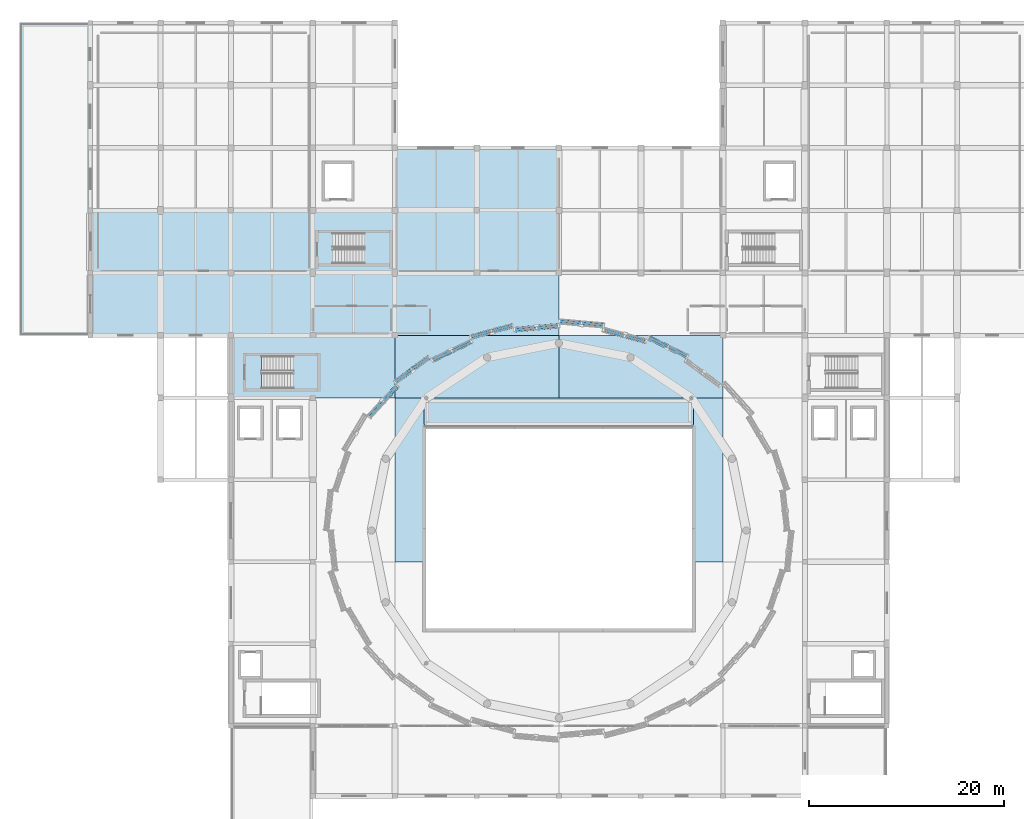
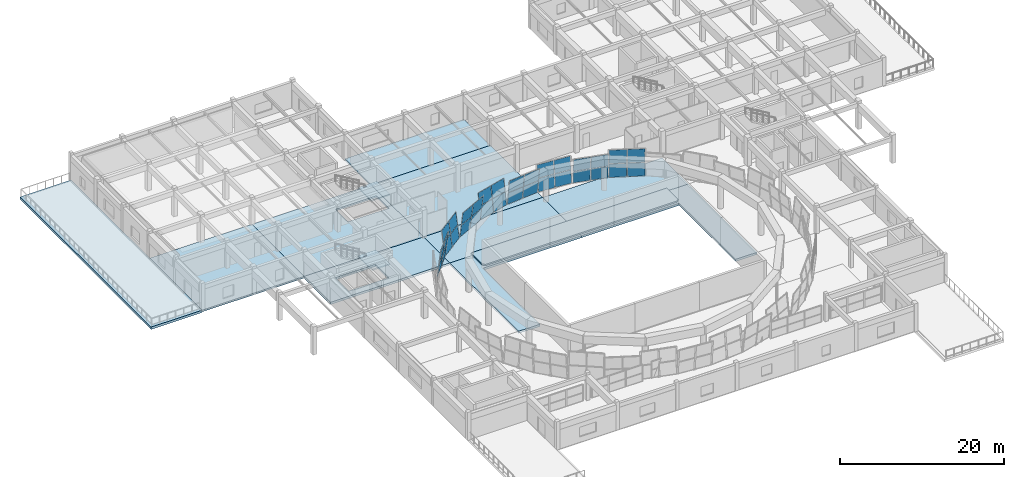
# One storey, part 25 of 40: 32 plates, 13 slabs, 10 elements without a shape of their own.
"""IFC4 building model written with IfcOpenShell, lengths in metres."""

from ifc_helpers import new_model, si_unit, direction, frame, origin, place, context, subcontext, project, spatial, polyline, outline, extrude, material, layer, layer_set, type_object, element, aggregate, save


model = new_model("IFC4")

# Units and contexts
model_context = context("Model", 3, precision=1e-05, world=origin(), true_north=direction((0.0, 1.0)))
body_context = subcontext(model_context, "Body", "Model", "MODEL_VIEW")
ifc_project = project(units=[si_unit("LENGTHUNIT", "METRE"), si_unit("AREAUNIT", "SQUARE_METRE"), si_unit("VOLUMEUNIT", "CUBIC_METRE"), si_unit("PLANEANGLEUNIT", "RADIAN"), si_unit("MASSUNIT", "GRAM", prefix="KILO")], contexts=[model_context])

# Site, building, storey
site_placement = place(None, origin())
site = spatial("IfcSite", under=ifc_project, at=site_placement, CompositionType="ELEMENT")
building_placement = place(site_placement, origin())
building = spatial("IfcBuilding", under=site, at=building_placement, Name="Korsvaeld Concert Hall", CompositionType="ELEMENT")
storey_placement = place(building_placement, frame((0.0, 0.0, 13.199951171875)))
storey = spatial("IfcBuildingStorey", under=building, at=storey_placement, Name="L03", CompositionType="ELEMENT", Elevation=13.199951171875)

# Curtain wall, plates
ifc_material_1 = material(Name="Anodised bronze and ceramic-fritted safety glass", Category="glass")
curtain_wall_type_1 = type_object("IfcCurtainWallType", Name="CW-TYPE-06", PredefinedType="USERDEFINED", material=ifc_material_1)
curtain_wall_1_placement = place(storey_placement, origin())
curtain_wall_1 = element("IfcCurtainWall", 1, at=curtain_wall_1_placement, inside=storey, type_object=curtain_wall_type_1, Name="Crystal curtain-wall facet L03 F06", ObjectType="CURTAIN WALL", PredefinedType="USERDEFINED")
ifc_material_2 = material(Name="Translucent ceramic-fritted crystal safety glass", Category="glass")
ifc_layer_1 = layer(ifc_material_2, 0.035888671875)
ifc_layer_set_1 = layer_set([ifc_layer_1], Name="Translucent ceramic-fritted crystal safety glass")
plate_type = type_object("IfcPlateType", Name="CWP-CRYSTAL-36", PredefinedType="CURTAIN_PANEL", material=ifc_layer_set_1)
plate_1_placement = place(storey_placement, frame((97.04736328125, 80.865478515625, 0.06005859375), z_axis=(0.430090776937, 0.89571226322, -0.112789472515), x_axis=(-0.901464591462, 0.432852850679, 0.0)))
plate_1 = element("IfcPlate", 2, at=plate_1_placement, type_object=plate_type, Name="CW-CRYS-L03-F06 ceramic-fritted crystal panel 1.1", PredefinedType="CURTAIN_PANEL", context=body_context, shape_type="SweptSolid", body=[
    extrude(outline(polyline([(0.0, 0.0), (2.150634336043882, 0.0), (2.1317694595248153, 1.8619791157700134), (-0.01886487651906714, 1.8619791157700134), (0.0, 0.0)])), frame((0.0, 0.0, 0.01806640625)), (0.0, 0.0, -1.0), 0.035888671875),
])
plate_2_placement = place(storey_placement, frame((97.15869140625, 81.052490234375, 1.969970703125), z_axis=(0.430114148991, 0.895704537127, -0.112761700096), x_axis=(-0.901454091207, 0.432874717948, -2.75289e-06)))
plate_2 = element("IfcPlate", 3, at=plate_2_placement, type_object=plate_type, Name="CW-CRYS-L03-F06 ceramic-fritted crystal panel 1.2", PredefinedType="CURTAIN_PANEL", context=body_context, shape_type="SweptSolid", body=[
    extrude(outline(polyline([(0.0, 0.0), (2.150634335402981, 1.3877787807814457e-17), (2.1317694601600947, 1.8619791150426859), (-0.018644793677650772, 1.8619671987283917), (0.0, 0.0)])), frame((0.0, 0.0, 0.01806640625)), (0.0, 0.0, -1.0), 0.035888671875),
])
plate_3_placement = place(storey_placement, frame((95.041015625, 81.828857421875, 0.06005859375), z_axis=(0.429999158214, 0.895756378641, -0.112788448256), x_axis=(-0.901508884705, 0.432760592935, 0.0)))
plate_3 = element("IfcPlate", 4, at=plate_3_placement, type_object=plate_type, Name="CW-CRYS-L03-F06 ceramic-fritted crystal panel 2.1", PredefinedType="CURTAIN_PANEL", context=body_context, shape_type="SweptSolid", body=[
    extrude(outline(polyline([(0.0, 0.0), (2.1505286703400395, 0.0), (2.131642301423537, 1.8619788978930212), (-0.018886368916502288, 1.8619788978930212), (0.0, 0.0)])), frame((0.0, 0.0, 0.01806640625)), (0.0, 0.0, -1.0), 0.035888671875),
])
plate_4_placement = place(storey_placement, frame((95.15234375, 82.015869140625, 1.969970703125), z_axis=(0.429999158214, 0.895756378641, -0.112788448256), x_axis=(-0.901508884705, 0.432760592935, 0.0)))
plate_4 = element("IfcPlate", 5, at=plate_4_placement, type_object=plate_type, Name="CW-CRYS-L03-F06 ceramic-fritted crystal panel 2.2", PredefinedType="CURTAIN_PANEL", context=body_context, shape_type="SweptSolid", body=[
    extrude(outline(polyline([(0.0, 0.0), (2.1505286703400395, 0.0), (2.131642301423537, 1.8619788978930212), (-0.018886368916502288, 1.8619788978930212), (0.0, 0.0)])), frame((0.0, 0.0, 0.01806640625)), (0.0, 0.0, -1.0), 0.035888671875),
])
aggregate(curtain_wall_1, [plate_1, plate_2, plate_3, plate_4])

curtain_wall_type_2 = type_object("IfcCurtainWallType", Name="CW-TYPE-07", PredefinedType="USERDEFINED", material=ifc_material_1)
curtain_wall_2_placement = place(storey_placement, origin())
curtain_wall_2 = element("IfcCurtainWall", 6, at=curtain_wall_2_placement, inside=storey, type_object=curtain_wall_type_2, Name="Crystal curtain-wall facet L03 F07", ObjectType="CURTAIN WALL", PredefinedType="USERDEFINED")
plate_5_placement = place(storey_placement, frame((92.956787109375, 82.799560546875, 0.06005859375), z_axis=(0.261163697715, 0.958656442547, 0.113010389604), x_axis=(-0.964837328344, 0.262847731265, -1.651374e-06)))
plate_5 = element("IfcPlate", 7, at=plate_5_placement, type_object=plate_type, Name="CW-CRYS-L03-F07 ceramic-fritted crystal panel 1.1", PredefinedType="CURTAIN_PANEL", context=body_context, shape_type="SweptSolid", body=[
    extrude(outline(polyline([(0.0, 0.0), (2.1817033119443416, 1.3877787807814457e-17), (2.1944567254359537, 1.8620298037919154), (0.01251785750324663, 1.8620225513242352), (0.0, 0.0)])), frame((0.0, 0.0, 0.01806640625)), (0.0, 0.0, -1.0), 0.035888671875),
])
plate_6_placement = place(storey_placement, frame((92.88720703125, 82.59326171875, 1.969970703125), z_axis=(0.261267170979, 0.958628162452, 0.113011112386), x_axis=(-0.964809044512, 0.262951530942, 1.651812e-06)))
plate_6 = element("IfcPlate", 8, at=plate_6_placement, type_object=plate_type, Name="CW-CRYS-L03-F07 ceramic-fritted crystal panel 1.2", PredefinedType="CURTAIN_PANEL", context=body_context, shape_type="SweptSolid", body=[
    extrude(outline(polyline([(0.0, 0.0), (2.182003048960531, 1.3877787807814457e-17), (2.1945043823121617, 1.8620226623379514), (0.012736882434763102, 1.86202991694282), (0.0, 0.0)])), frame((0.0, 0.0, 0.01806640625)), (0.0, 0.0, -1.0), 0.035888671875),
])
plate_7_placement = place(storey_placement, frame((90.779296875, 83.392822265625, 0.06005859375), z_axis=(0.261178302111, 0.958654457556, 0.112993475543), x_axis=(-0.964833511963, 0.262861739689, 0.0)))
plate_7 = element("IfcPlate", 9, at=plate_7_placement, type_object=plate_type, Name="CW-CRYS-L03-F07 ceramic-fritted crystal panel 2.1", PredefinedType="CURTAIN_PANEL", context=body_context, shape_type="SweptSolid", body=[
    extrude(outline(polyline([(0.0, 0.0), (2.181703312177269, 1.3877787807814457e-17), (2.1942211701450334, 1.8620225515940299), (0.012517857967764409, 1.8620225515940299), (0.0, 0.0)])), frame((0.0, 0.0, 0.01806640625)), (0.0, 0.0, -1.0), 0.035888671875),
])
plate_8_placement = place(storey_placement, frame((90.709716796875, 83.1865234375, 1.969970703125), z_axis=(0.261267170979, 0.958628162452, 0.113011112386), x_axis=(-0.964808945702, 0.262951893492, -1.651991e-06)))
plate_8 = element("IfcPlate", 10, at=plate_8_placement, type_object=plate_type, Name="CW-CRYS-L03-F07 ceramic-fritted crystal panel 2.2", PredefinedType="CURTAIN_PANEL", context=body_context, shape_type="SweptSolid", body=[
    extrude(outline(polyline([(0.0, 0.0), (2.18176749988946, 1.3877787807814457e-17), (2.1944981908801506, 1.8620299592839915), (0.012495141931681508, 1.8620227038958976), (0.0, 0.0)])), frame((0.0, 0.0, 0.01806640625)), (0.0, 0.0, -1.0), 0.035888671875),
])
aggregate(curtain_wall_2, [plate_5, plate_6, plate_7, plate_8])

curtain_wall_type_3 = type_object("IfcCurtainWallType", Name="CW-TYPE-08", PredefinedType="USERDEFINED", material=ifc_material_1)
curtain_wall_3_placement = place(storey_placement, origin())
curtain_wall_3 = element("IfcCurtainWall", 11, at=curtain_wall_3_placement, inside=storey, type_object=curtain_wall_type_3, Name="Crystal curtain-wall facet L03 F08", ObjectType="CURTAIN WALL", PredefinedType="USERDEFINED")
plate_9_placement = place(storey_placement, frame((88.530029296875, 84.006103515625, 0.06005859375), z_axis=(0.087546049245, 0.989706155961, -0.113214019074), x_axis=(-0.996110581478, 0.08811191427, -5.671146e-06)))
plate_9 = element("IfcPlate", 12, at=plate_9_placement, type_object=plate_type, Name="CW-CRYS-L03-F08 ceramic-fritted crystal panel 1.1", PredefinedType="CURTAIN_PANEL", context=body_context, shape_type="SweptSolid", body=[
    extrude(outline(polyline([(0.0, 0.0), (2.19848258395254, 0.0), (2.194090680571713, 1.8620821244647707), (-0.0046566061385782, 1.862057025761723), (0.0, 0.0)])), frame((0.0, 0.0, 0.01806640625)), (0.0, 0.0, -1.0), 0.035888671875),
])
plate_10_placement = place(storey_placement, frame((88.553955078125, 84.222412109375, 1.969970703125), z_axis=(0.087541265095, 0.98970723272, -0.113208305385), x_axis=(-0.996111018006, 0.088106979112, -6.220482e-06)))
plate_10 = element("IfcPlate", 13, at=plate_10_placement, type_object=plate_type, Name="CW-CRYS-L03-F08 ceramic-fritted crystal panel 1.2", PredefinedType="CURTAIN_PANEL", context=body_context, shape_type="SweptSolid", body=[
    extrude(outline(polyline([(0.0, 0.0), (2.1987257756269907, 3.469446951953614e-18), (2.194331810918517, 1.8620821189390757), (-0.00441547520142144, 1.8620545875462846), (0.0, 0.0)])), frame((0.0, 0.0, 0.01806640625)), (0.0, 0.0, -1.0), 0.035888671875),
])
plate_11_placement = place(storey_placement, frame((86.265380859375, 84.206298828125, 0.06005859375), z_axis=(0.08755094843, 0.989706373559, -0.113208328167), x_axis=(-0.99611003098, 0.088118137423, 6.221105e-06)))
plate_11 = element("IfcPlate", 14, at=plate_11_placement, type_object=plate_type, Name="CW-CRYS-L03-F08 ceramic-fritted crystal panel 2.1", PredefinedType="CURTAIN_PANEL", context=body_context, shape_type="SweptSolid", body=[
    extrude(outline(polyline([(0.0, 0.0), (2.1985040964360016, 6.938893903907228e-18), (2.1941139993973517, 1.8620546475523847), (-0.004368583821505519, 1.8620821786575152), (0.0, 0.0)])), frame((0.0, 0.0, 0.01806640625)), (0.0, 0.0, -1.0), 0.035888671875),
])
plate_12_placement = place(storey_placement, frame((86.2890625, 84.422607421875, 1.969970703125), z_axis=(0.08755094843, 0.989706373559, -0.113208328167), x_axis=(-0.99611003098, 0.088118137423, 6.221105e-06)))
plate_12 = element("IfcPlate", 15, at=plate_12_placement, type_object=plate_type, Name="CW-CRYS-L03-F08 ceramic-fritted crystal panel 2.2", PredefinedType="CURTAIN_PANEL", context=body_context, shape_type="SweptSolid", body=[
    extrude(outline(polyline([(0.0, 0.0), (2.1985040964360016, 6.938893903907228e-18), (2.1941139993973517, 1.8620546475523847), (-0.004368583821505519, 1.8620821786575152), (0.0, 0.0)])), frame((0.0, 0.0, 0.01806640625)), (0.0, 0.0, -1.0), 0.035888671875),
])
aggregate(curtain_wall_3, [plate_9, plate_10, plate_11, plate_12])

curtain_wall_type_4 = type_object("IfcCurtainWallType", Name="CW-TYPE-01", PredefinedType="USERDEFINED", material=ifc_material_1)
curtain_wall_4_placement = place(storey_placement, origin())
curtain_wall_4 = element("IfcCurtainWall", 16, at=curtain_wall_4_placement, inside=storey, type_object=curtain_wall_type_4, Name="Crystal curtain-wall facet L03 F09", ObjectType="CURTAIN WALL", PredefinedType="USERDEFINED")
plate_13_placement = place(storey_placement, frame((83.926025390625, 84.386474609375, 0.06005859375), z_axis=(-0.087496856753, 0.989718543604, 0.113143733828), x_axis=(-0.996114965607, -0.088062337539, 0.0)))
plate_13 = element("IfcPlate", 17, at=plate_13_placement, type_object=plate_type, Name="CW-CRYS-L03-F09 ceramic-fritted crystal panel 1.1", PredefinedType="CURTAIN_PANEL", context=body_context, shape_type="SweptSolid", body=[
    extrude(outline(polyline([(0.0, 0.0), (2.198482586710795, -3.469446951953614e-18), (2.194069178224843, 1.8620545963652475), (-0.004413408485951821, 1.8620545963652475), (0.0, 0.0)])), frame((0.0, 0.0, 0.01806640625)), (0.0, 0.0, -1.0), 0.035888671875),
])
plate_14_placement = place(storey_placement, frame((83.94970703125, 84.170166015625, 1.969970703125), z_axis=(-0.08755094843, 0.989706373559, 0.113208328167), x_axis=(-0.996110155902, -0.088116725255, -6.221166e-06)))
plate_14 = element("IfcPlate", 18, at=plate_14_placement, type_object=plate_type, Name="CW-CRYS-L03-F09 ceramic-fritted crystal panel 1.2", PredefinedType="CURTAIN_PANEL", context=body_context, shape_type="SweptSolid", body=[
    extrude(outline(polyline([(0.0, 0.0), (2.19848258339124, 0.0), (2.194090681131892, 1.8620821238047118), (-0.004413415131725044, 1.8620545924301783), (0.0, 0.0)])), frame((0.0, 0.0, 0.01806640625)), (0.0, 0.0, -1.0), 0.035888671875),
])
plate_15_placement = place(storey_placement, frame((81.661376953125, 84.186279296875, 0.06005859375), z_axis=(-0.08755094843, 0.989706373559, 0.113208328167), x_axis=(-0.99611003098, -0.088118137423, 6.221105e-06)))
plate_15 = element("IfcPlate", 19, at=plate_15_placement, type_object=plate_type, Name="CW-CRYS-L03-F09 ceramic-fritted crystal panel 2.1", PredefinedType="CURTAIN_PANEL", context=body_context, shape_type="SweptSolid", body=[
    extrude(outline(polyline([(0.0, 0.0), (2.1985040964360016, 6.938893903907228e-18), (2.1941139993973517, 1.8620546475523847), (-0.004368583821505519, 1.8620821786575152), (0.0, 0.0)])), frame((0.0, 0.0, 0.01806640625)), (0.0, 0.0, -1.0), 0.035888671875),
])
plate_16_placement = place(storey_placement, frame((81.68505859375, 83.969970703125, 1.969970703125), z_axis=(-0.08755094843, 0.989706373559, 0.113208328167), x_axis=(-0.99611003098, -0.088118137423, 6.221105e-06)))
plate_16 = element("IfcPlate", 20, at=plate_16_placement, type_object=plate_type, Name="CW-CRYS-L03-F09 ceramic-fritted crystal panel 2.2", PredefinedType="CURTAIN_PANEL", context=body_context, shape_type="SweptSolid", body=[
    extrude(outline(polyline([(0.0, 0.0), (2.1985040964360016, 6.938893903907228e-18), (2.1941139993973517, 1.8620546475523847), (-0.004368583821505519, 1.8620821786575152), (0.0, 0.0)])), frame((0.0, 0.0, 0.01806640625)), (0.0, 0.0, -1.0), 0.035888671875),
])
aggregate(curtain_wall_4, [plate_13, plate_14, plate_15, plate_16])

curtain_wall_type_5 = type_object("IfcCurtainWallType", Name="CW-TYPE-02", PredefinedType="USERDEFINED", material=ifc_material_1)
curtain_wall_5_placement = place(storey_placement, origin())
curtain_wall_5 = element("IfcCurtainWall", 21, at=curtain_wall_5_placement, inside=storey, type_object=curtain_wall_type_5, Name="Crystal curtain-wall facet L03 F10", ObjectType="CURTAIN WALL", PredefinedType="USERDEFINED")
plate_17_placement = place(storey_placement, frame((79.3212890625, 83.979248046875, 0.06005859375), z_axis=(-0.261178302111, 0.958654457556, -0.112993475543), x_axis=(-0.964833511963, -0.262861739689, 0.0)))
plate_17 = element("IfcPlate", 22, at=plate_17_placement, type_object=plate_type, Name="CW-CRYS-L03-F10 ceramic-fritted crystal panel 1.1", PredefinedType="CURTAIN_PANEL", context=body_context, shape_type="SweptSolid", body=[
    extrude(outline(polyline([(0.0, 0.0), (2.181703312177269, 1.3877787807814457e-17), (2.1942211701450334, 1.8620225515940299), (0.012517857967764409, 1.8620225515940299), (0.0, 0.0)])), frame((0.0, 0.0, 0.01806640625)), (0.0, 0.0, -1.0), 0.035888671875),
])
plate_18_placement = place(storey_placement, frame((79.251708984375, 84.185546875, 1.969970703125), z_axis=(-0.26128178054, 0.958626175241, -0.112994191446), x_axis=(-0.964805126409, -0.262965906641, 0.0)))
plate_18 = element("IfcPlate", 23, at=plate_18_placement, type_object=plate_type, Name="CW-CRYS-L03-F10 ceramic-fritted crystal panel 1.2", PredefinedType="CURTAIN_PANEL", context=body_context, shape_type="SweptSolid", body=[
    extrude(outline(polyline([(0.0, 0.0), (2.1817675001225645, -1.3877787807814457e-17), (2.1942626425191207, 1.862022704165911), (0.01249514239655624, 1.862022704165911), (0.0, 0.0)])), frame((0.0, 0.0, 0.01806640625)), (0.0, 0.0, -1.0), 0.035888671875),
])
plate_19_placement = place(storey_placement, frame((77.14404296875, 83.385986328125, 0.06005859375), z_axis=(-0.261163697715, 0.958656442547, -0.113010389604), x_axis=(-0.964837427078, -0.262847368842, 1.651196e-06)))
plate_19 = element("IfcPlate", 24, at=plate_19_placement, type_object=plate_type, Name="CW-CRYS-L03-F10 ceramic-fritted crystal panel 2.1", PredefinedType="CURTAIN_PANEL", context=body_context, shape_type="SweptSolid", body=[
    extrude(outline(polyline([(0.0, 0.0), (2.1819388679447598, 0.0), (2.194462914557344, 1.8620225097062955), (0.012759602625054647, 1.8620297613910195), (0.0, 0.0)])), frame((0.0, 0.0, 0.01806640625)), (0.0, 0.0, -1.0), 0.035888671875),
])
plate_20_placement = place(storey_placement, frame((77.07421875, 83.59228515625, 1.969970703125), z_axis=(-0.26128178054, 0.958626175241, -0.112994191446), x_axis=(-0.964805126409, -0.262965906641, 0.0)))
plate_20 = element("IfcPlate", 25, at=plate_20_placement, type_object=plate_type, Name="CW-CRYS-L03-F10 ceramic-fritted crystal panel 2.2", PredefinedType="CURTAIN_PANEL", context=body_context, shape_type="SweptSolid", body=[
    extrude(outline(polyline([(0.0, 0.0), (2.1817675001225645, -1.3877787807814457e-17), (2.1942626425191207, 1.862022704165911), (0.01249514239655624, 1.862022704165911), (0.0, 0.0)])), frame((0.0, 0.0, 0.01806640625)), (0.0, 0.0, -1.0), 0.035888671875),
])
aggregate(curtain_wall_5, [plate_17, plate_18, plate_19, plate_20])

curtain_wall_type_6 = type_object("IfcCurtainWallType", Name="CW-TYPE-03", PredefinedType="USERDEFINED", material=ifc_material_1)
curtain_wall_6_placement = place(storey_placement, origin())
curtain_wall_6 = element("IfcCurtainWall", 26, at=curtain_wall_6_placement, inside=storey, type_object=curtain_wall_type_6, Name="Crystal curtain-wall facet L03 F11", ObjectType="CURTAIN WALL", PredefinedType="USERDEFINED")
plate_21_placement = place(storey_placement, frame((74.904541015625, 82.747802734375, 0.06005859375), z_axis=(-0.429999158214, 0.895756378641, 0.112788448256), x_axis=(-0.901508884705, -0.432760592935, 0.0)))
plate_21 = element("IfcPlate", 27, at=plate_21_placement, type_object=plate_type, Name="CW-CRYS-L03-F11 ceramic-fritted crystal panel 1.1", PredefinedType="CURTAIN_PANEL", context=body_context, shape_type="SweptSolid", body=[
    extrude(outline(polyline([(0.0, 0.0), (2.1505286703400395, 0.0), (2.131642301423537, 1.8619788978930212), (-0.018886368916502288, 1.8619788978930212), (0.0, 0.0)])), frame((0.0, 0.0, 0.01806640625)), (0.0, 0.0, -1.0), 0.035888671875),
])
plate_22_placement = place(storey_placement, frame((75.015869140625, 82.560791015625, 1.969970703125), z_axis=(-0.430022527134, 0.89574865601, 0.112760682039), x_axis=(-0.901498388408, -0.432782457697, -2.752414e-06)))
plate_22 = element("IfcPlate", 28, at=plate_22_placement, type_object=plate_type, Name="CW-CRYS-L03-F11 ceramic-fritted crystal panel 1.2", PredefinedType="CURTAIN_PANEL", context=body_context, shape_type="SweptSolid", body=[
    extrude(outline(polyline([(0.0, 0.0), (2.15052866969938, 0.0), (2.1316423020585704, 1.8619788971660192), (-0.0186662752608272, 1.8619669834991164), (0.0, 0.0)])), frame((0.0, 0.0, 0.01806640625)), (0.0, 0.0, -1.0), 0.035888671875),
])
plate_23_placement = place(storey_placement, frame((72.898193359375, 81.78466796875, 0.06005859375), z_axis=(-0.430114148991, 0.895704537127, 0.112761700096), x_axis=(-0.901453820722, -0.432875281229, 2.753172e-06)))
plate_23 = element("IfcPlate", 29, at=plate_23_placement, type_object=plate_type, Name="CW-CRYS-L03-F11 ceramic-fritted crystal panel 2.1", PredefinedType="CURTAIN_PANEL", context=body_context, shape_type="SweptSolid", body=[
    extrude(outline(polyline([(0.0, 0.0), (2.150414253870762, -1.3877787807814457e-17), (2.1317797781060066, 1.8619673020181395), (-0.018854557263954734, 1.8619792195519942), (0.0, 0.0)])), frame((0.0, 0.0, 0.01806640625)), (0.0, 0.0, -1.0), 0.035888671875),
])
plate_24_placement = place(storey_placement, frame((73.009521484375, 81.59765625, 1.969970703125), z_axis=(-0.430090776937, 0.89571226322, 0.112789472515), x_axis=(-0.901464591462, -0.432852850679, 0.0)))
plate_24 = element("IfcPlate", 30, at=plate_24_placement, type_object=plate_type, Name="CW-CRYS-L03-F11 ceramic-fritted crystal panel 2.2", PredefinedType="CURTAIN_PANEL", context=body_context, shape_type="SweptSolid", body=[
    extrude(outline(polyline([(0.0, 0.0), (2.150634336043882, 0.0), (2.1317694595248153, 1.8619791157700134), (-0.01886487651906714, 1.8619791157700134), (0.0, 0.0)])), frame((0.0, 0.0, 0.01806640625)), (0.0, 0.0, -1.0), 0.035888671875),
])
aggregate(curtain_wall_6, [plate_21, plate_22, plate_23, plate_24])

curtain_wall_type_7 = type_object("IfcCurtainWallType", Name="CW-TYPE-04", PredefinedType="USERDEFINED", material=ifc_material_1)
curtain_wall_7_placement = place(storey_placement, origin())
curtain_wall_7 = element("IfcCurtainWall", 31, at=curtain_wall_7_placement, inside=storey, type_object=curtain_wall_type_7, Name="Crystal curtain-wall facet L03 F12", ObjectType="CURTAIN WALL", PredefinedType="USERDEFINED")
plate_25_placement = place(storey_placement, frame((70.823486328125, 80.787841796875, 0.06005859375), z_axis=(-0.589669995592, 0.799761139052, -0.112567387646), x_axis=(-0.804876511344, -0.593442332043, -5.210569e-06)))
plate_25 = element("IfcPlate", 32, at=plate_25_placement, type_object=plate_type, Name="CW-CRYS-L03-F12 ceramic-fritted crystal panel 1.1", PredefinedType="CURTAIN_PANEL", context=body_context, shape_type="SweptSolid", body=[
    extrude(outline(polyline([(0.0, 0.0), (2.109102836854165, -1.3877787807814457e-17), (2.1310223769087853, 1.8619430975782645), (0.022064423436466363, 1.861920978492878), (0.0, 0.0)])), frame((0.0, 0.0, 0.01806640625)), (0.0, 0.0, -1.0), 0.035888671875),
])
plate_26_placement = place(storey_placement, frame((70.6767578125, 80.948486328125, 1.969970703125), z_axis=(-0.589606250178, 0.799810195203, -0.112552749416), x_axis=(-0.80492463014, -0.593377063746, -3.841142e-06)))
plate_26 = element("IfcPlate", 33, at=plate_26_placement, type_object=plate_type, Name="CW-CRYS-L03-F12 ceramic-fritted crystal panel 1.2", PredefinedType="CURTAIN_PANEL", context=body_context, shape_type="SweptSolid", body=[
    extrude(outline(polyline([(0.0, 0.0), (2.108957954619836, 1.3877787807814457e-17), (2.131238413993404, 1.8619370542060762), (0.022083944571287713, 1.8619207482265476), (0.0, 0.0)])), frame((0.0, 0.0, 0.01806640625)), (0.0, 0.0, -1.0), 0.035888671875),
])
plate_27_placement = place(storey_placement, frame((69.065673828125, 79.49169921875, 0.06005859375), z_axis=(-0.589664828806, 0.799754131413, -0.112644214037), x_axis=(-0.804877212454, -0.593441381136, 5.214438e-06)))
plate_27 = element("IfcPlate", 34, at=plate_27_placement, type_object=plate_type, Name="CW-CRYS-L03-F12 ceramic-fritted crystal panel 2.1", PredefinedType="CURTAIN_PANEL", context=body_context, shape_type="SweptSolid", body=[
    extrude(outline(polyline([(0.0, 0.0), (2.1089579535883525, 0.0), (2.131238415035784, 1.8619370530129313), (0.02213557829773993, 1.861959188715022), (0.0, 0.0)])), frame((0.0, 0.0, 0.01806640625)), (0.0, 0.0, -1.0), 0.035888671875),
])
plate_28_placement = place(storey_placement, frame((68.9189453125, 79.65234375, 1.969970703125), z_axis=(-0.589599242948, 0.799800689785, -0.112656954223), x_axis=(-0.804925146945, -0.593376362691, 3.844294e-06)))
plate_28 = element("IfcPlate", 35, at=plate_28_placement, type_object=plate_type, Name="CW-CRYS-L03-F12 ceramic-fritted crystal panel 2.2", PredefinedType="CURTAIN_PANEL", context=body_context, shape_type="SweptSolid", body=[
    extrude(outline(polyline([(0.0, 0.0), (2.1091544694851763, -1.3877787807814457e-17), (2.1311079480460267, 1.8619426988996264), (0.022149993489303757, 1.8619590184550607), (0.0, 0.0)])), frame((0.0, 0.0, 0.01806640625)), (0.0, 0.0, -1.0), 0.035888671875),
])
aggregate(curtain_wall_7, [plate_25, plate_26, plate_27, plate_28])

curtain_wall_type_8 = type_object("IfcCurtainWallType", Name="CW-TYPE-05", PredefinedType="USERDEFINED", material=ifc_material_1)
curtain_wall_8_placement = place(storey_placement, origin())
curtain_wall_8 = element("IfcCurtainWall", 36, at=curtain_wall_8_placement, inside=storey, type_object=curtain_wall_type_8, Name="Crystal curtain-wall facet L03 F13", ObjectType="CURTAIN WALL", PredefinedType="USERDEFINED")
plate_29_placement = place(storey_placement, frame((67.267333984375, 78.13134765625, 0.06005859375), z_axis=(-0.733583849474, 0.670213115462, 0.112557166157), x_axis=(-0.674499425239, -0.738275372305, -4.21953e-07)))
plate_29 = element("IfcPlate", 37, at=plate_29_placement, type_object=plate_type, Name="CW-CRYS-L03-F13 ceramic-fritted crystal panel 1.1", PredefinedType="CURTAIN_PANEL", context=body_context, shape_type="SweptSolid", body=[
    extrude(outline(polyline([(0.0, 0.0), (2.0635155142750765, 1.3877787807814457e-17), (2.0413516208468003, 1.8619306198063972), (-0.021818977706219878, 1.8619288674022139), (0.0, 0.0)])), frame((0.0, 0.0, 0.01806640625)), (0.0, 0.0, -1.0), 0.035888671875),
])
plate_30_placement = place(storey_placement, frame((67.4423828125, 78.002197265625, 1.969970703125), z_axis=(-0.733578723806, 0.670203354014, 0.112648658439), x_axis=(-0.674496604142, -0.738277949692, 0.0)))
plate_30 = element("IfcPlate", 38, at=plate_30_placement, type_object=plate_type, Name="CW-CRYS-L03-F13 ceramic-fritted crystal panel 1.2", PredefinedType="CURTAIN_PANEL", context=body_context, shape_type="SweptSolid", body=[
    extrude(outline(polyline([(0.0, 0.0), (2.0631705985682665, -1.3877787807814457e-17), (2.0411885302853268, 1.8619491815404832), (-0.02198206828293976, 1.8619491815404832), (0.0, 0.0)])), frame((0.0, 0.0, 0.01806640625)), (0.0, 0.0, -1.0), 0.035888671875),
])
plate_31_placement = place(storey_placement, frame((65.824951171875, 76.552734375, 0.06005859375), z_axis=(-0.733609082796, 0.670177381511, 0.112605465897), x_axis=(-0.674466768494, -0.738305206658, 4.464638e-06)))
plate_31 = element("IfcPlate", 39, at=plate_31_placement, type_object=plate_type, Name="CW-CRYS-L03-F13 ceramic-fritted crystal panel 2.1", PredefinedType="CURTAIN_PANEL", context=body_context, shape_type="SweptSolid", body=[
    extrude(outline(polyline([(0.0, 0.0), (2.063350847157608, 0.0), (2.0412052648161545, 1.861930835905153), (-0.021965332046859215, 1.8619493772551041), (0.0, 0.0)])), frame((0.0, 0.0, 0.01806640625)), (0.0, 0.0, -1.0), 0.035888671875),
])
plate_32_placement = place(storey_placement, frame((66.000244140625, 76.423583984375, 1.969970703125), z_axis=(-0.733578723806, 0.670203354014, 0.112648658439), x_axis=(-0.674496604142, -0.738277949692, 0.0)))
plate_32 = element("IfcPlate", 40, at=plate_32_placement, type_object=plate_type, Name="CW-CRYS-L03-F13 ceramic-fritted crystal panel 2.2", PredefinedType="CURTAIN_PANEL", context=body_context, shape_type="SweptSolid", body=[
    extrude(outline(polyline([(0.0, 0.0), (2.0631705985682665, -1.3877787807814457e-17), (2.0411885302853268, 1.8619491815404832), (-0.02198206828293976, 1.8619491815404832), (0.0, 0.0)])), frame((0.0, 0.0, 0.01806640625)), (0.0, 0.0, -1.0), 0.035888671875),
])
aggregate(curtain_wall_8, [plate_29, plate_30, plate_31, plate_32])

# Slabs
ifc_material_3 = material(Name="Concrete C35/45", Category="concrete")
ifc_layer_2 = layer(ifc_material_3, 0.320068359375)
ifc_layer_set_2 = layer_set([ifc_layer_2], Name="Concrete C35/45")
slab_type_1 = type_object("IfcSlabType", Name="SLB-HALL-320", PredefinedType="FLOOR", material=ifc_layer_set_2)
slab_1_placement = place(storey_placement, frame((0.0, 0.0, -0.320068359375)))
element("IfcSlab", 41, at=slab_1_placement, inside=storey, type_object=slab_type_1, Name="Structural slab L03 V1_L03 1.3", PredefinedType="FLOOR", context=body_context, shape_type="SweptSolid", body=[
    extrude(outline(polyline([(50.39990234375, 76.800048828125), (50.39990234375, 83.199951171875), (67.199951171875, 83.199951171875), (67.199951171875, 76.800048828125), (50.39990234375, 76.800048828125)]), holes=[polyline([(59.205078125, 77.794921875), (59.205078125, 81.044921875), (53.544921875, 81.044921875), (53.544921875, 77.794921875), (59.205078125, 77.794921875)])]), origin(), (0.0, 0.0, 1.0), 0.320068359375),
])
slab_2_placement = place(storey_placement, frame((0.0, 0.0, -0.320068359375)))
element("IfcSlab", 42, at=slab_2_placement, inside=storey, type_object=slab_type_1, Name="Structural slab L03 V1_L03 2.2", PredefinedType="FLOOR", context=body_context, shape_type="SweptSolid", body=[
    extrude(outline(polyline([(67.199951171875, 60.0), (67.199951171875, 76.800048828125), (84.0, 76.800048828125), (84.0, 73.800048828125), (70.199951171875, 73.800048828125), (70.199951171875, 60.0), (67.199951171875, 60.0)])), origin(), (0.0, 0.0, 1.0), 0.320068359375),
])
slab_3_placement = place(storey_placement, frame((0.0, 0.0, -0.320068359375)))
element("IfcSlab", 43, at=slab_3_placement, inside=storey, type_object=slab_type_1, Name="Structural slab L03 V1_L03 2.3", PredefinedType="FLOOR", context=body_context, shape_type="SweptSolid", body=[
    extrude(outline(polyline([(67.199951171875, 76.800048828125), (67.199951171875, 83.199951171875), (84.0, 83.199951171875), (84.0, 76.800048828125), (67.199951171875, 76.800048828125)])), origin(), (0.0, 0.0, 1.0), 0.320068359375),
])
slab_4_placement = place(storey_placement, frame((0.0, 0.0, -0.320068359375)))
element("IfcSlab", 44, at=slab_4_placement, inside=storey, type_object=slab_type_1, Name="Structural slab L03 V1_L03 3.2", PredefinedType="FLOOR", context=body_context, shape_type="SweptSolid", body=[
    extrude(outline(polyline([(84.0, 76.800048828125), (100.800048828125, 76.800048828125), (100.800048828125, 60.0), (97.800048828125, 60.0), (97.800048828125, 73.800048828125), (84.0, 73.800048828125), (84.0, 76.800048828125)])), origin(), (0.0, 0.0, 1.0), 0.320068359375),
])
slab_5_placement = place(storey_placement, frame((0.0, 0.0, -0.320068359375)))
element("IfcSlab", 45, at=slab_5_placement, inside=storey, type_object=slab_type_1, Name="Structural slab L03 V1_L03 3.3", PredefinedType="FLOOR", context=body_context, shape_type="SweptSolid", body=[
    extrude(outline(polyline([(84.0, 76.800048828125), (84.0, 83.199951171875), (100.800048828125, 83.199951171875), (100.800048828125, 76.800048828125), (84.0, 76.800048828125)])), origin(), (0.0, 0.0, 1.0), 0.320068359375),
])

# Stair, slab
ifc_material_4 = material(Name="Precast concrete C40/50", Category="concrete")
stair_type_1 = type_object("IfcStairType", Name="STR-HT-155-42", PredefinedType="HALF_TURN_STAIR", material=ifc_material_4)
stair_1_placement = place(storey_placement, origin())
stair_1 = element("IfcStair", 46, at=stair_1_placement, inside=storey, type_object=stair_type_1, Name="L03 ST-K1", PredefinedType="HALF_TURN_STAIR")
ifc_layer_3 = layer(ifc_material_4, 0.179931640625)
ifc_layer_set_3 = layer_set([ifc_layer_3], Name="Precast concrete C40/50")
slab_type_2 = type_object("IfcSlabType", Name="SLB-LANDING-180", PredefinedType="LANDING", material=ifc_layer_set_3)
slab_6_placement = place(storey_placement, frame((0.0, 0.0, 1.920166015625)))
slab_6 = element("IfcSlab", 47, at=slab_6_placement, type_object=slab_type_2, Name="ST-K1 landing 1", PredefinedType="LANDING", context=body_context, shape_type="SweptSolid", body=[
    extrude(outline(polyline([(56.760009765625, 77.7099609375), (56.760009765625, 81.1298828125), (59.2900390625, 81.1298828125), (59.2900390625, 77.7099609375), (56.760009765625, 77.7099609375)])), origin(), (0.0, 0.0, 1.0), 0.179931640625),
])
aggregate(stair_1, [slab_6])

stair_type_2 = type_object("IfcStairType", Name="STR-HT-145-42", PredefinedType="HALF_TURN_STAIR", material=ifc_material_4)
stair_2_placement = place(storey_placement, origin())
stair_2 = element("IfcStair", 48, at=stair_2_placement, inside=storey, type_object=stair_type_2, Name="L03 ST-K5", PredefinedType="HALF_TURN_STAIR")
slab_7_placement = place(storey_placement, frame((0.0, 0.0, 1.920166015625)))
slab_7 = element("IfcSlab", 49, at=slab_7_placement, type_object=slab_type_2, Name="ST-K5 landing 1", PredefinedType="LANDING", context=body_context, shape_type="SweptSolid", body=[
    extrude(outline(polyline([(64.06005859375, 90.510009765625), (64.06005859375, 93.72998046875), (66.68994140625, 93.72998046875), (66.68994140625, 90.510009765625), (64.06005859375, 90.510009765625)])), origin(), (0.0, 0.0, 1.0), 0.179931640625),
])
aggregate(stair_2, [slab_7])

# Slabs
ifc_layer_4 = layer(ifc_material_3, 0.360107421875)
ifc_layer_set_4 = layer_set([ifc_layer_4], Name="Concrete C35/45")
slab_type_3 = type_object("IfcSlabType", Name="SLB-TERR-360", PredefinedType="ROOF", material=ifc_layer_set_4)
slab_8_placement = place(storey_placement, frame((0.0, 0.0, -0.35986328125)))
element("IfcSlab", 50, at=slab_8_placement, inside=storey, type_object=slab_type_3, Name="North-West Artists Roof Terrace", PredefinedType="ROOF", context=body_context, shape_type="SweptSolid", body=[
    extrude(outline(polyline([(36.0, 83.199951171875), (36.0, 115.199951171875), (28.800048828125, 115.199951171875), (28.800048828125, 83.199951171875), (36.0, 83.199951171875)])), origin(), (0.0, 0.0, 1.0), 0.35986328125),
])
ifc_layer_5 = layer(ifc_material_4, 0.199951171875)
ifc_layer_set_5 = layer_set([ifc_layer_5], Name="Precast concrete C40/50")
slab_type_4 = type_object("IfcSlabType", Name="SLB-TIER-200", PredefinedType="USERDEFINED", material=ifc_layer_set_5)
slab_9_placement = place(storey_placement, frame((0.0, 0.0, 0.25)))
element("IfcSlab", 51, at=slab_9_placement, inside=storey, type_object=slab_type_4, Name="Auditorium seating tier V1-CHOIR-N", ObjectType="SEATING TIER", PredefinedType="USERDEFINED", context=body_context, shape_type="SweptSolid", body=[
    extrude(outline(polyline([(70.199951171875, 74.10009765625), (70.5, 73.800048828125), (97.5, 73.800048828125), (97.800048828125, 74.10009765625), (97.800048828125, 76.800048828125), (70.199951171875, 76.800048828125), (70.199951171875, 74.10009765625)])), origin(), (0.0, 0.0, 1.0), 0.199951171875),
])
ifc_layer_6 = layer(ifc_material_3, 0.25)
ifc_layer_set_6 = layer_set([ifc_layer_6], Name="Concrete C35/45")
slab_type_5 = type_object("IfcSlabType", Name="SLB-WING-250", PredefinedType="FLOOR", material=ifc_layer_set_6)
slab_10_placement = place(storey_placement, frame((0.0, 0.0, -0.25)))
element("IfcSlab", 52, at=slab_10_placement, inside=storey, type_object=slab_type_5, Name="Structural slab L03 V5_L03_W 1.1", PredefinedType="FLOOR", context=body_context, shape_type="SweptSolid", body=[
    extrude(outline(polyline([(36.0, 83.199951171875), (36.0, 96.0), (50.39990234375, 96.0), (50.39990234375, 83.199951171875), (36.0, 83.199951171875)])), origin(), (0.0, 0.0, 1.0), 0.25),
])
slab_11_placement = place(storey_placement, frame((0.0, 0.0, -0.25)))
element("IfcSlab", 53, at=slab_11_placement, inside=storey, type_object=slab_type_5, Name="Structural slab L03 V5_L03_W 2.1", PredefinedType="FLOOR", context=body_context, shape_type="SweptSolid", body=[
    extrude(outline(polyline([(50.39990234375, 83.199951171875), (50.39990234375, 96.0), (67.199951171875, 96.0), (67.199951171875, 83.199951171875), (50.39990234375, 83.199951171875)]), holes=[polyline([(66.60498046875, 90.594970703125), (66.60498046875, 93.64501953125), (60.844970703125, 93.64501953125), (60.844970703125, 90.594970703125), (66.60498046875, 90.594970703125)])]), origin(), (0.0, 0.0, 1.0), 0.25),
])
slab_12_placement = place(storey_placement, frame((0.0, 0.0, -0.25)))
element("IfcSlab", 54, at=slab_12_placement, inside=storey, type_object=slab_type_5, Name="Structural slab L03 V5_L03_C 1.1", PredefinedType="FLOOR", context=body_context, shape_type="SweptSolid", body=[
    extrude(outline(polyline([(67.199951171875, 83.199951171875), (67.199951171875, 96.0), (84.0, 96.0), (84.0, 83.199951171875), (67.199951171875, 83.199951171875)])), origin(), (0.0, 0.0, 1.0), 0.25),
])
slab_13_placement = place(storey_placement, frame((0.0, 0.0, -0.25)))
element("IfcSlab", 55, at=slab_13_placement, inside=storey, type_object=slab_type_5, Name="Structural slab L03 V5_L03_C 1.2", PredefinedType="FLOOR", context=body_context, shape_type="SweptSolid", body=[
    extrude(outline(polyline([(67.199951171875, 96.0), (67.199951171875, 102.39990234375), (84.0, 102.39990234375), (84.0, 96.0), (67.199951171875, 96.0)])), origin(), (0.0, 0.0, 1.0), 0.25),
])

save(model, "model.ifc")
